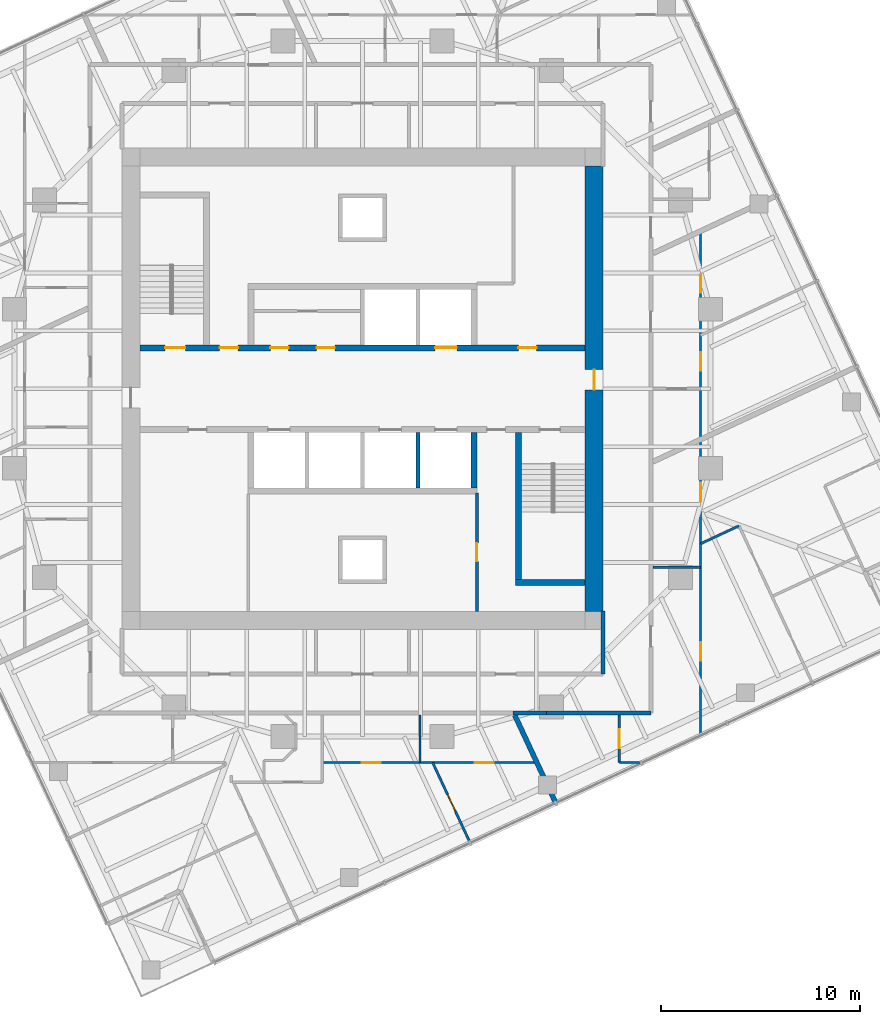
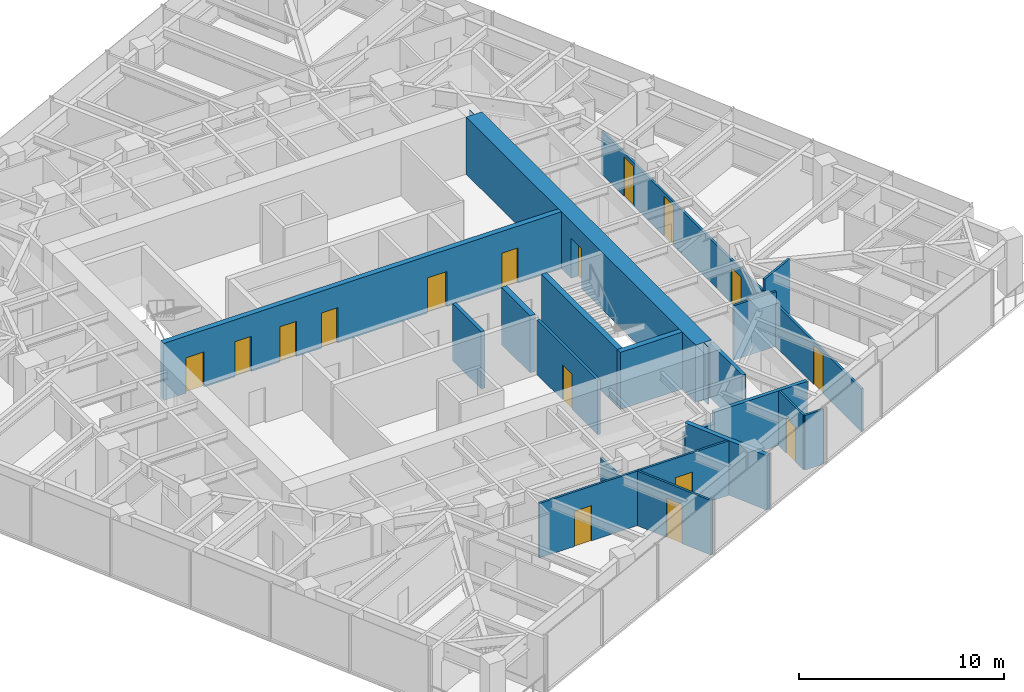
# One storey, part 9 of 13: 19 walls, 16 doors, 16 openings.
"""IFC4 building model written with IfcOpenShell, lengths in metres."""

from ifc_helpers import new_model, si_unit, direction, frame, frame_2d, origin, place, context, subcontext, project, spatial, polyline, rectangle, outline, extrude, material, layer, layer_set, type_object, element, fill, save


model = new_model("IFC4")

# Units and contexts
model_context = context("Model", 3, precision=1e-05, world=origin(), true_north=direction((0.0, 1.0)))
body_context = subcontext(model_context, "Body", "Model", "MODEL_VIEW")
ifc_project = project(units=[si_unit("LENGTHUNIT", "METRE"), si_unit("AREAUNIT", "SQUARE_METRE"), si_unit("VOLUMEUNIT", "CUBIC_METRE"), si_unit("PLANEANGLEUNIT", "RADIAN"), si_unit("MASSUNIT", "GRAM", prefix="KILO")], contexts=[model_context])

# Site, building, storey
site_placement = place(None, origin())
site = spatial("IfcSite", under=ifc_project, at=site_placement, CompositionType="ELEMENT")
building_placement = place(site_placement, origin())
building = spatial("IfcBuilding", under=site, at=building_placement, Name="Torsade Residences", CompositionType="ELEMENT")
storey_placement = place(building_placement, frame((0.0, 0.0, 176.0)))
storey = spatial("IfcBuildingStorey", under=building, at=storey_placement, Name="L48", CompositionType="ELEMENT", Elevation=176.0)

# Wall, openings, doors
ifc_material_1 = material(Name="Concrete 80 MPa", Category="concrete")
ifc_layer_1 = layer(ifc_material_1, 0.300048828125)
ifc_layer_set_1 = layer_set([ifc_layer_1], Name="Concrete 80 MPa")
wall_type_1 = type_object("IfcWallType", Name="CORE INTERNAL WALL 300", PredefinedType="SHEAR", material=ifc_layer_set_1)
wall_1_placement = place(storey_placement, frame((28.800048828125, 32.050048828125, 0.0), z_axis=(0.0, 0.0, 1.0), x_axis=(1.0, 0.0, 0.0)))
wall_1 = element("IfcWall", 1, at=wall_1_placement, inside=storey, type_object=wall_type_1, Name="Core wall LN L48", PredefinedType="SHEAR", context=body_context, shape_type="SweptSolid", body=[
    extrude(rectangle(XDim=22.39990234375, YDim=0.300048828125, at=frame_2d((11.199951171875, 0.0))), origin(), (0.0, 0.0, 1.0), 3.39990234375),
])
opening_1_placement = place(wall_1_placement, frame((19.0400390625, 0.0, 0.0)))
opening_1 = element("IfcOpeningElement", 2, at=opening_1_placement, cuts=wall_1, Name="Opening D06", PredefinedType="OPENING", context=body_context, shape_type="SweptSolid", body=[
    extrude(rectangle(XDim=0.919921875, YDim=2.10009765625, at=frame_2d((0.4599609375, 1.050048828125))), frame((0.0, 0.159912109375, 0.0), z_axis=(0.0, -1.0, 0.0), x_axis=(1.0, 0.0, 0.0)), (0.0, 0.0, 1.0), 0.320068359375),
])
opening_2_placement = place(wall_1_placement, frame((1.264892578125, 0.0, 0.0)))
opening_2 = element("IfcOpeningElement", 3, at=opening_2_placement, cuts=wall_1, Name="Opening D03", PredefinedType="OPENING", context=body_context, shape_type="SweptSolid", body=[
    extrude(rectangle(XDim=1.02001953125, YDim=2.10009765625, at=frame_2d((0.510009765625, 1.050048828125))), frame((0.0, 0.159912109375, 0.0), z_axis=(0.0, -1.0, 0.0), x_axis=(1.0, 0.0, 0.0)), (0.0, 0.0, 1.0), 0.320068359375),
])
opening_3_placement = place(wall_1_placement, frame((4.014892578125, 0.0, 0.0)))
opening_3 = element("IfcOpeningElement", 4, at=opening_3_placement, cuts=wall_1, Name="Opening D06", PredefinedType="OPENING", context=body_context, shape_type="SweptSolid", body=[
    extrude(rectangle(XDim=0.919921875, YDim=2.10009765625, at=frame_2d((0.4599609375, 1.050048828125))), frame((0.0, 0.159912109375, 0.0), z_axis=(0.0, -1.0, 0.0), x_axis=(1.0, 0.0, 0.0)), (0.0, 0.0, 1.0), 0.320068359375),
])
opening_4_placement = place(wall_1_placement, frame((6.56494140625, 0.0, 0.0)))
opening_4 = element("IfcOpeningElement", 5, at=opening_4_placement, cuts=wall_1, Name="Opening D06", PredefinedType="OPENING", context=body_context, shape_type="SweptSolid", body=[
    extrude(rectangle(XDim=0.919921875, YDim=2.10009765625, at=frame_2d((0.4599609375, 1.050048828125))), frame((0.0, 0.159912109375, 0.0), z_axis=(0.0, -1.0, 0.0), x_axis=(1.0, 0.0, 0.0)), (0.0, 0.0, 1.0), 0.320068359375),
])
opening_5_placement = place(wall_1_placement, frame((8.889892578125, 0.0, 0.0)))
opening_5 = element("IfcOpeningElement", 6, at=opening_5_placement, cuts=wall_1, Name="Opening D06", PredefinedType="OPENING", context=body_context, shape_type="SweptSolid", body=[
    extrude(rectangle(XDim=0.919921875, YDim=2.10009765625, at=frame_2d((0.4599609375, 1.050048828125))), frame((0.0, 0.159912109375, 0.0), z_axis=(0.0, -1.0, 0.0), x_axis=(1.0, 0.0, 0.0)), (0.0, 0.0, 1.0), 0.320068359375),
])
opening_6_placement = place(wall_1_placement, frame((14.85009765625, 0.0, 0.0)))
opening_6 = element("IfcOpeningElement", 7, at=opening_6_placement, cuts=wall_1, Name="Opening LD", PredefinedType="OPENING", context=body_context, shape_type="SweptSolid", body=[
    extrude(rectangle(XDim=1.10009765625, YDim=2.10009765625, at=frame_2d((0.550048828125, 1.050048828125))), frame((0.0, 0.159912109375, 0.0), z_axis=(0.0, -1.0, 0.0), x_axis=(1.0, 0.0, 0.0)), (0.0, 0.0, 1.0), 0.320068359375),
])
ifc_material_2 = material(Name="Steel-framed fire door", Category="steel")
door_type_1 = type_object("IfcDoorType", Name="FIRE DOOR 1020", OperationType="NOTDEFINED", PredefinedType="DOOR", material=ifc_material_2)
door_1_placement = place(opening_2_placement, origin())
door_1 = element("IfcDoor", 8, at=door_1_placement, inside=storey, type_object=door_type_1, Name="Exit door to fire-isolated stair ST1 L48", OperationType="SINGLE_SWING_RIGHT", OverallHeight=2.10009765625, OverallWidth=1.02001953125, PredefinedType="DOOR", context=body_context, shape_type="SweptSolid", body=[
    extrude(rectangle(XDim=1.02001953125, YDim=2.10009765625, at=frame_2d((0.510009765625, 1.050048828125))), frame((0.0, 0.02490234375, 0.0), z_axis=(0.0, -1.0, 0.0), x_axis=(1.0, 0.0, 0.0)), (0.0, 0.0, 1.0), 0.050048828125),
])
fill(opening_2, door_1)
ifc_material_3 = material(Name="Steel-framed fire door", Category="steel")
door_type_2 = type_object("IfcDoorType", Name="FIRE DOOR 920", OperationType="NOTDEFINED", PredefinedType="DOOR", material=ifc_material_3)
door_2_placement = place(opening_1_placement, origin())
door_2 = element("IfcDoor", 9, at=door_2_placement, inside=storey, type_object=door_type_2, Name="Door Lift lobby to Refuse room", OperationType="SINGLE_SWING_LEFT", OverallHeight=2.10009765625, OverallWidth=0.919921875, PredefinedType="DOOR", context=body_context, shape_type="SweptSolid", body=[
    extrude(rectangle(XDim=0.919921875, YDim=2.10009765625, at=frame_2d((0.4599609375, 1.050048828125))), frame((0.0, 0.02490234375, 0.0), z_axis=(0.0, -1.0, 0.0), x_axis=(1.0, 0.0, 0.0)), (0.0, 0.0, 1.0), 0.050048828125),
])
fill(opening_1, door_2)
door_3_placement = place(opening_3_placement, origin())
door_3 = element("IfcDoor", 10, at=door_3_placement, inside=storey, type_object=door_type_2, Name="Door Lift lobby to Electrical riser room", OperationType="SINGLE_SWING_LEFT", OverallHeight=2.10009765625, OverallWidth=0.919921875, PredefinedType="DOOR", context=body_context, shape_type="SweptSolid", body=[
    extrude(rectangle(XDim=0.919921875, YDim=2.10009765625, at=frame_2d((0.4599609375, 1.050048828125))), frame((0.0, 0.02490234375, 0.0), z_axis=(0.0, -1.0, 0.0), x_axis=(1.0, 0.0, 0.0)), (0.0, 0.0, 1.0), 0.050048828125),
])
fill(opening_3, door_3)
door_4_placement = place(opening_4_placement, origin())
door_4 = element("IfcDoor", 11, at=door_4_placement, inside=storey, type_object=door_type_2, Name="Door Lift lobby to IT equipment room L48A", OperationType="SINGLE_SWING_LEFT", OverallHeight=2.10009765625, OverallWidth=0.919921875, PredefinedType="DOOR", context=body_context, shape_type="SweptSolid", body=[
    extrude(rectangle(XDim=0.919921875, YDim=2.10009765625, at=frame_2d((0.4599609375, 1.050048828125))), frame((0.0, 0.02490234375, 0.0), z_axis=(0.0, -1.0, 0.0), x_axis=(1.0, 0.0, 0.0)), (0.0, 0.0, 1.0), 0.050048828125),
])
fill(opening_4, door_4)
door_5_placement = place(opening_5_placement, origin())
door_5 = element("IfcDoor", 12, at=door_5_placement, inside=storey, type_object=door_type_2, Name="Door Lift lobby to IT equipment room L48A", OperationType="SINGLE_SWING_LEFT", OverallHeight=2.10009765625, OverallWidth=0.919921875, PredefinedType="DOOR", context=body_context, shape_type="SweptSolid", body=[
    extrude(rectangle(XDim=0.919921875, YDim=2.10009765625, at=frame_2d((0.4599609375, 1.050048828125))), frame((0.0, 0.02490234375, 0.0), z_axis=(0.0, -1.0, 0.0), x_axis=(1.0, 0.0, 0.0)), (0.0, 0.0, 1.0), 0.050048828125),
])
fill(opening_5, door_5)
ifc_material_4 = material(Name="Stainless steel lift landing door", Category="steel")
door_type_3 = type_object("IfcDoorType", Name="LIFT LANDING DOOR 1100", OperationType="SLIDING_TO_LEFT", PredefinedType="DOOR", material=ifc_material_4)
door_6_placement = place(opening_6_placement, origin())
door_6 = element("IfcDoor", 13, at=door_6_placement, inside=storey, type_object=door_type_3, Name="Lift FL1 landing door L48", OperationType="SLIDING_TO_LEFT", OverallHeight=2.10009765625, OverallWidth=1.10009765625, PredefinedType="DOOR", context=body_context, shape_type="SweptSolid", body=[
    extrude(rectangle(XDim=1.10009765625, YDim=2.10009765625, at=frame_2d((0.550048828125, 1.050048828125))), frame((0.0, 0.02490234375, 0.0), z_axis=(0.0, -1.0, 0.0), x_axis=(1.0, 0.0, 0.0)), (0.0, 0.0, 1.0), 0.050048828125),
])
fill(opening_6, door_6)

# Walls
wall_2_placement = place(storey_placement, frame((45.60009765625, 27.800048828125, 0.0), z_axis=(0.0, 0.0, 1.0), x_axis=(0.0, -1.0, 0.0)))
element("IfcWall", 14, at=wall_2_placement, inside=storey, type_object=wall_type_1, Name="Core wall DS0 L48", PredefinedType="SHEAR", context=body_context, shape_type="SweptSolid", body=[
    extrude(rectangle(XDim=2.800048828125, YDim=0.300048828125, at=frame_2d((1.39990234375, 0.0))), origin(), (0.0, 0.0, 1.0), 3.39990234375),
])
wall_3_placement = place(storey_placement, frame((47.85009765625, 27.800048828125, 0.0), z_axis=(0.0, 0.0, 1.0), x_axis=(0.0, -1.0, 0.0)))
element("IfcWall", 15, at=wall_3_placement, inside=storey, type_object=wall_type_1, Name="Core wall ST2W L48", PredefinedType="SHEAR", context=body_context, shape_type="SweptSolid", body=[
    extrude(rectangle(XDim=7.699951171875, YDim=0.300048828125, at=frame_2d((3.85009765625, 0.0))), origin(), (0.0, 0.0, 1.0), 3.39990234375),
])
wall_4_placement = place(storey_placement, frame((51.199951171875, 20.25, 0.0), z_axis=(0.0, 0.0, 1.0), x_axis=(-1.0, 0.0, 0.0)))
element("IfcWall", 16, at=wall_4_placement, inside=storey, type_object=wall_type_1, Name="Core wall ST2S L48", PredefinedType="SHEAR", context=body_context, shape_type="SweptSolid", body=[
    extrude(rectangle(XDim=3.5, YDim=0.300048828125, at=frame_2d((1.75, 0.0))), origin(), (0.0, 0.0, 1.0), 3.39990234375),
])

# Wall, opening, door
ifc_material_5 = material(Name="Concrete 80 MPa", Category="concrete")
ifc_layer_2 = layer(ifc_material_5, 0.89990234375)
ifc_layer_set_2 = layer_set([ifc_layer_2], Name="Concrete 80 MPa")
wall_type_2 = type_object("IfcWallType", Name="CORE WALL 900", PredefinedType="SHEAR", material=ifc_layer_set_2)
wall_5_placement = place(storey_placement, frame((51.64990234375, 18.800048828125, 0.0), z_axis=(0.0, 0.0, 1.0), x_axis=(0.0, 1.0, 0.0)))
wall_5 = element("IfcWall", 17, at=wall_5_placement, inside=storey, type_object=wall_type_2, Name="Core wall E L48", PredefinedType="SHEAR", context=body_context, shape_type="SweptSolid", body=[
    extrude(outline(polyline([(0.0, -0.449951171875), (22.39990234375, -0.449951171875), (22.39990234375, -0.02490234375), (22.849853515625, -0.02490234375), (22.849853515625, 0.02490234375), (22.39990234375, 0.02490234375), (22.39990234375, 0.449951171875), (0.0, 0.449951171875), (0.0, 0.02490234375), (-0.449951171875, 0.02490234375), (-0.449951171875, -0.02490234375), (0.0, -0.02490234375), (0.0, -0.449951171875)])), origin(), (0.0, 0.0, 1.0), 3.39990234375),
])
opening_7_placement = place(wall_5_placement, frame((11.139892578125, 0.0, 0.0)))
opening_7 = element("IfcOpeningElement", 18, at=opening_7_placement, cuts=wall_5, Name="Opening D04", PredefinedType="OPENING", context=body_context, shape_type="SweptSolid", body=[
    extrude(rectangle(XDim=1.02001953125, YDim=2.39990234375, at=frame_2d((0.510009765625, 1.199951171875))), frame((0.0, 0.4599609375, 0.0), z_axis=(0.0, -1.0, 0.0), x_axis=(1.0, 0.0, 0.0)), (0.0, 0.0, 1.0), 0.919921875),
])
ifc_material_6 = material(Name="Steel-framed fire door", Category="steel")
door_type_4 = type_object("IfcDoorType", Name="LOBBY SMOKE DOOR 1020x2400", OperationType="NOTDEFINED", PredefinedType="DOOR", material=ifc_material_6)
door_7_placement = place(opening_7_placement, origin())
door_7 = element("IfcDoor", 19, at=door_7_placement, inside=storey, type_object=door_type_4, Name="Lift lobby door E L48", OperationType="SINGLE_SWING_LEFT", OverallHeight=2.39990234375, OverallWidth=1.02001953125, PredefinedType="DOOR", context=body_context, shape_type="SweptSolid", body=[
    extrude(rectangle(XDim=1.02001953125, YDim=2.39990234375, at=frame_2d((0.510009765625, 1.199951171875))), frame((0.0, 0.02490234375, 0.0), z_axis=(0.0, -1.0, 0.0), x_axis=(1.0, 0.0, 0.0)), (0.0, 0.0, 1.0), 0.050048828125),
])
fill(opening_7, door_7)

# Walls
ifc_material_7 = material(Name="Plasterboard on steel stud", Category="steel")
ifc_layer_3 = layer(ifc_material_7, 0.199951171875)
ifc_layer_set_3 = layer_set([ifc_layer_3], Name="Plasterboard on steel stud")
wall_type_3 = type_object("IfcWallType", Name="CORRIDOR WALL 200", PredefinedType="PARTITIONING", material=ifc_layer_set_3)
wall_6_placement = place(storey_placement, frame((47.558349609375, 13.699951171875, 0.0), z_axis=(0.0, 0.0, 1.0), x_axis=(1.0, 0.0, 0.0)))
element("IfcWall", 20, at=wall_6_placement, inside=storey, type_object=wall_type_3, Name="Corridor wall L48", PredefinedType="PARTITIONING", context=body_context, shape_type="SweptSolid", body=[
    extrude(rectangle(XDim=1.683349609375, YDim=0.199951171875, at=frame_2d((0.841796875, 0.0))), origin(), (0.0, 0.0, 1.0), 2.550048828125),
])
wall_7_placement = place(storey_placement, frame((49.24169921875, 13.699951171875, 0.0), z_axis=(0.0, 0.0, 1.0), x_axis=(1.0, 0.0, 0.0)))
element("IfcWall", 21, at=wall_7_placement, inside=storey, type_object=wall_type_3, Name="Corridor wall L48", PredefinedType="PARTITIONING", context=body_context, shape_type="SweptSolid", body=[
    extrude(rectangle(XDim=5.25830078125, YDim=0.199951171875, at=frame_2d((2.629150390625, 0.0))), origin(), (0.0, 0.0, 1.0), 3.25),
])
wall_8_placement = place(storey_placement, frame((52.10009765625, 15.64990234375, 0.0), z_axis=(0.0, 0.0, 1.0), x_axis=(0.0, 1.0, 0.0)))
element("IfcWall", 22, at=wall_8_placement, inside=storey, type_object=wall_type_3, Name="Corridor wall L48", PredefinedType="PARTITIONING", context=body_context, shape_type="SweptSolid", body=[
    extrude(rectangle(XDim=3.170166015625, YDim=0.199951171875, at=frame_2d((1.5849609375, 0.0))), origin(), (0.0, 0.0, 1.0), 3.25),
])
ifc_material_8 = material(Name="Reinforced blockwork", Category="masonry")
ifc_layer_4 = layer(ifc_material_8, 0.199951171875)
ifc_layer_set_4 = layer_set([ifc_layer_4], Name="Reinforced blockwork")
wall_type_4 = type_object("IfcWallType", Name="LIFT SHAFT DIVIDING WALL 200", PredefinedType="SOLIDWALL", material=ifc_layer_set_4)
wall_9_placement = place(storey_placement, frame((42.800048828125, 27.800048828125, 0.0), z_axis=(0.0, 0.0, 1.0), x_axis=(0.0, -1.0, 0.0)))
element("IfcWall", 23, at=wall_9_placement, inside=storey, type_object=wall_type_4, Name="Core wall DS1 L48", PredefinedType="SOLIDWALL", context=body_context, shape_type="SweptSolid", body=[
    extrude(rectangle(XDim=2.800048828125, YDim=0.199951171875, at=frame_2d((1.39990234375, 0.0))), origin(), (0.0, 0.0, 1.0), 3.39990234375),
])
ifc_material_9 = material(Name="Plasterboard on steel stud", Category="steel")
ifc_layer_5 = layer(ifc_material_9, 0.1201171875)
ifc_layer_set_5 = layer_set([ifc_layer_5], Name="Plasterboard on steel stud")
wall_type_5 = type_object("IfcWallType", Name="PARTITION 120", PredefinedType="PARTITIONING", material=ifc_layer_set_5)
wall_10_placement = place(storey_placement, frame((42.8916015625, 13.60009765625, 0.0), z_axis=(0.0, 0.0, 1.0), x_axis=(0.0, -1.0, 0.0)))
element("IfcWall", 24, at=wall_10_placement, inside=storey, type_object=wall_type_5, Name="Partition L48", PredefinedType="PARTITIONING", context=body_context, shape_type="SweptSolid", body=[
    extrude(rectangle(XDim=2.400146484375, YDim=0.1201171875, at=frame_2d((1.2001953125, 0.0))), origin(), (0.0, 0.0, 1.0), 2.7958984375),
])

# Wall, openings, doors
wall_11_placement = place(storey_placement, frame((48.7666015625, 11.199951171875, 0.0), z_axis=(0.0, 0.0, 1.0), x_axis=(-1.0, 0.0, 0.0)))
wall_11 = element("IfcWall", 25, at=wall_11_placement, inside=storey, type_object=wall_type_5, Name="Partition L48", PredefinedType="PARTITIONING", context=body_context, shape_type="SweptSolid", body=[
    extrude(rectangle(XDim=10.792724609375, YDim=0.1201171875, at=frame_2d((5.396484375, 0.0))), origin(), (0.0, 0.0, 1.0), 3.25),
])
opening_8_placement = place(wall_11_placement, frame((7.853759765625, 0.0, 0.0)))
opening_8 = element("IfcOpeningElement", 26, at=opening_8_placement, cuts=wall_11, Name="Opening D05", PredefinedType="OPENING", context=body_context, shape_type="SweptSolid", body=[
    extrude(rectangle(XDim=0.9599609375, YDim=2.10009765625, at=frame_2d((0.47998046875, 1.050048828125))), frame((0.0, 0.070068359375, 0.0), z_axis=(0.0, -1.0, 0.0), x_axis=(1.0, 0.0, 0.0)), (0.0, 0.0, 1.0), 0.14013671875),
])
opening_9_placement = place(wall_11_placement, frame((2.16796875, 0.0, 0.0)))
opening_9 = element("IfcOpeningElement", 27, at=opening_9_placement, cuts=wall_11, Name="Opening D05", PredefinedType="OPENING", context=body_context, shape_type="SweptSolid", body=[
    extrude(rectangle(XDim=0.9599609375, YDim=2.10009765625, at=frame_2d((0.47998046875, 1.050048828125))), frame((0.0, 0.070068359375, 0.0), z_axis=(0.0, -1.0, 0.0), x_axis=(1.0, 0.0, 0.0)), (0.0, 0.0, 1.0), 0.14013671875),
])
ifc_material_10 = material(Name="Hollow-core timber door in a steel cavity frame", Category="steel")
door_type_5 = type_object("IfcDoorType", Name="BATHROOM CAVITY SLIDING DOOR 960", OperationType="SLIDING_TO_LEFT", PredefinedType="DOOR", material=ifc_material_10)
door_8_placement = place(opening_8_placement, origin())
door_8 = element("IfcDoor", 28, at=door_8_placement, inside=storey, type_object=door_type_5, Name="Door Living room to Ensuite 2", OperationType="SLIDING_TO_LEFT", OverallHeight=2.10009765625, OverallWidth=0.9599609375, PredefinedType="DOOR", context=body_context, shape_type="SweptSolid", body=[
    extrude(rectangle(XDim=0.9599609375, YDim=2.10009765625, at=frame_2d((0.47998046875, 1.050048828125))), frame((0.0, 0.02490234375, 0.0), z_axis=(0.0, -1.0, 0.0), x_axis=(1.0, 0.0, 0.0)), (0.0, 0.0, 1.0), 0.050048828125),
])
fill(opening_8, door_8)
door_9_placement = place(opening_9_placement, origin())
door_9 = element("IfcDoor", 29, at=door_9_placement, inside=storey, type_object=door_type_5, Name="Door Study 2 to Ensuite", OperationType="SLIDING_TO_LEFT", OverallHeight=2.10009765625, OverallWidth=0.9599609375, PredefinedType="DOOR", context=body_context, shape_type="SweptSolid", body=[
    extrude(rectangle(XDim=0.9599609375, YDim=2.10009765625, at=frame_2d((0.47998046875, 1.050048828125))), frame((0.0, 0.02490234375, 0.0), z_axis=(0.0, -1.0, 0.0), x_axis=(1.0, 0.0, 0.0)), (0.0, 0.0, 1.0), 0.050048828125),
])
fill(opening_9, door_9)

# Wall, opening, door
wall_12_placement = place(storey_placement, frame((43.525634765625, 11.199951171875, 0.0), z_axis=(0.0, 0.0, 1.0), x_axis=(0.422629078519, -0.906302743011, 0.0)))
wall_12 = element("IfcWall", 30, at=wall_12_placement, inside=storey, type_object=wall_type_5, Name="Partition L48", PredefinedType="PARTITIONING", context=body_context, shape_type="SweptSolid", body=[
    extrude(rectangle(XDim=4.431396484375, YDim=0.1201171875, at=frame_2d((2.2158203125, 0.0))), origin(), (0.0, 0.0, 1.0), 3.25),
])
opening_10_placement = place(wall_12_placement, frame((1.775634765625, 0.0, 0.0)))
opening_10 = element("IfcOpeningElement", 31, at=opening_10_placement, cuts=wall_12, Name="Opening D02", PredefinedType="OPENING", context=body_context, shape_type="SweptSolid", body=[
    extrude(rectangle(XDim=0.919921875, YDim=2.340087890625, at=frame_2d((0.4599609375, 1.169921875))), frame((0.0, 0.070068359375, 0.0), z_axis=(0.0, -1.0, 0.0), x_axis=(1.0, 0.0, 0.0)), (0.0, 0.0, 1.0), 0.14013671875),
])
ifc_material_11 = material(Name="Hollow-core timber door", Category="wood")
door_type_6 = type_object("IfcDoorType", Name="INTERNAL DOOR 920x2340", OperationType="NOTDEFINED", PredefinedType="DOOR", material=ifc_material_11)
door_10_placement = place(opening_10_placement, origin())
door_10 = element("IfcDoor", 32, at=door_10_placement, inside=storey, type_object=door_type_6, Name="Door Living room to Study 2", OperationType="SINGLE_SWING_LEFT", OverallHeight=2.340087890625, OverallWidth=0.919921875, PredefinedType="DOOR", context=body_context, shape_type="SweptSolid", body=[
    extrude(rectangle(XDim=0.919921875, YDim=2.340087890625, at=frame_2d((0.4599609375, 1.169921875))), frame((0.0, 0.02490234375, 0.0), z_axis=(0.0, -1.0, 0.0), x_axis=(1.0, 0.0, 0.0)), (0.0, 0.0, 1.0), 0.050048828125),
])
fill(opening_10, door_10)

# Walls
wall_13_placement = place(storey_placement, frame((54.60009765625, 21.022705078125, 0.0), z_axis=(0.0, 0.0, 1.0), x_axis=(1.0, 0.0, 0.0)))
element("IfcWall", 33, at=wall_13_placement, inside=storey, type_object=wall_type_5, Name="Partition L48", PredefinedType="PARTITIONING", context=body_context, shape_type="SweptSolid", body=[
    extrude(rectangle(XDim=2.39990234375, YDim=0.1201171875, at=frame_2d((1.199951171875, 0.0))), origin(), (0.0, 0.0, 1.0), 3.25),
])
wall_14_placement = place(storey_placement, frame((54.01123046875, 11.199951171875, 0.0), z_axis=(0.0, 0.0, 1.0), x_axis=(-1.0, 0.0, 0.0)))
element("IfcWall", 34, at=wall_14_placement, inside=storey, type_object=wall_type_5, Name="Partition L48", PredefinedType="PARTITIONING", context=body_context, shape_type="SweptSolid", body=[
    extrude(rectangle(XDim=1.093994140625, YDim=0.1201171875, at=frame_2d((0.546875, 0.0))), origin(), (0.0, 0.0, 1.0), 3.25),
])

# Wall, opening, door
wall_15_placement = place(storey_placement, frame((52.917236328125, 11.199951171875, 0.0), z_axis=(0.0, 0.0, 1.0), x_axis=(0.0, 1.0, 0.0)))
wall_15 = element("IfcWall", 35, at=wall_15_placement, inside=storey, type_object=wall_type_5, Name="Partition L48", PredefinedType="PARTITIONING", context=body_context, shape_type="SweptSolid", body=[
    extrude(rectangle(XDim=2.400146484375, YDim=0.1201171875, at=frame_2d((1.2001953125, 0.0))), origin(), (0.0, 0.0, 1.0), 3.25),
])
opening_11_placement = place(wall_15_placement, frame((0.719970703125, 0.0, 0.0)))
opening_11 = element("IfcOpeningElement", 36, at=opening_11_placement, cuts=wall_15, Name="Opening D05", PredefinedType="OPENING", context=body_context, shape_type="SweptSolid", body=[
    extrude(rectangle(XDim=0.9599609375, YDim=2.10009765625, at=frame_2d((0.47998046875, 1.050048828125))), frame((0.0, 0.070068359375, 0.0), z_axis=(0.0, -1.0, 0.0), x_axis=(1.0, 0.0, 0.0)), (0.0, 0.0, 1.0), 0.14013671875),
])
door_11_placement = place(opening_11_placement, origin())
door_11 = element("IfcDoor", 37, at=door_11_placement, inside=storey, type_object=door_type_5, Name="Door Kitchen and dining to Ensuite", OperationType="SLIDING_TO_LEFT", OverallHeight=2.10009765625, OverallWidth=0.9599609375, PredefinedType="DOOR", context=body_context, shape_type="SweptSolid", body=[
    extrude(rectangle(XDim=0.9599609375, YDim=2.10009765625, at=frame_2d((0.47998046875, 1.050048828125))), frame((0.0, 0.02490234375, 0.0), z_axis=(0.0, -1.0, 0.0), x_axis=(1.0, 0.0, 0.0)), (0.0, 0.0, 1.0), 0.050048828125),
])
fill(opening_11, door_11)

# Wall, openings, doors
wall_16_placement = place(storey_placement, frame((57.0, 37.92724609375, 0.0), z_axis=(0.0, 0.0, 1.0), x_axis=(0.0, -1.0, 0.0)))
wall_16 = element("IfcWall", 38, at=wall_16_placement, inside=storey, type_object=wall_type_5, Name="Partition L48", PredefinedType="PARTITIONING", context=body_context, shape_type="SweptSolid", body=[
    extrude(rectangle(XDim=25.33349609375, YDim=0.1201171875, at=frame_2d((12.666748046875, 0.0))), origin(), (0.0, 0.0, 1.0), 2.550048828125),
])
opening_12_placement = place(wall_16_placement, frame((20.68115234375, 0.0, 0.0)))
opening_12 = element("IfcOpeningElement", 39, at=opening_12_placement, cuts=wall_16, Name="Opening D02", PredefinedType="OPENING", context=body_context, shape_type="SweptSolid", body=[
    extrude(rectangle(XDim=0.919921875, YDim=2.340087890625, at=frame_2d((0.4599609375, 1.169921875))), frame((0.0, 0.070068359375, 0.0), z_axis=(0.0, -1.0, 0.0), x_axis=(1.0, 0.0, 0.0)), (0.0, 0.0, 1.0), 0.14013671875),
])
opening_13_placement = place(wall_16_placement, frame((2.18798828125, 0.0, 0.0)))
opening_13 = element("IfcOpeningElement", 40, at=opening_13_placement, cuts=wall_16, Name="Opening D02", PredefinedType="OPENING", context=body_context, shape_type="SweptSolid", body=[
    extrude(rectangle(XDim=0.919921875, YDim=2.340087890625, at=frame_2d((0.4599609375, 1.169921875))), frame((0.0, 0.070068359375, 0.0), z_axis=(0.0, -1.0, 0.0), x_axis=(1.0, 0.0, 0.0)), (0.0, 0.0, 1.0), 0.14013671875),
])
opening_14_placement = place(wall_16_placement, frame((6.09619140625, 0.0, 0.0)))
opening_14 = element("IfcOpeningElement", 41, at=opening_14_placement, cuts=wall_16, Name="Opening D02", PredefinedType="OPENING", context=body_context, shape_type="SweptSolid", body=[
    extrude(rectangle(XDim=0.919921875, YDim=2.340087890625, at=frame_2d((0.4599609375, 1.169921875))), frame((0.0, 0.070068359375, 0.0), z_axis=(0.0, -1.0, 0.0), x_axis=(1.0, 0.0, 0.0)), (0.0, 0.0, 1.0), 0.14013671875),
])
opening_15_placement = place(wall_16_placement, frame((12.650146484375, 0.0, 0.0)))
opening_15 = element("IfcOpeningElement", 42, at=opening_15_placement, cuts=wall_16, Name="Opening D05", PredefinedType="OPENING", context=body_context, shape_type="SweptSolid", body=[
    extrude(rectangle(XDim=0.9599609375, YDim=2.10009765625, at=frame_2d((0.47998046875, 1.050048828125))), frame((0.0, 0.070068359375, 0.0), z_axis=(0.0, -1.0, 0.0), x_axis=(1.0, 0.0, 0.0)), (0.0, 0.0, 1.0), 0.14013671875),
])
door_12_placement = place(opening_15_placement, origin())
door_12 = element("IfcDoor", 43, at=door_12_placement, inside=storey, type_object=door_type_5, Name="Door Living room to Bathroom", OperationType="SLIDING_TO_LEFT", OverallHeight=2.10009765625, OverallWidth=0.9599609375, PredefinedType="DOOR", context=body_context, shape_type="SweptSolid", body=[
    extrude(rectangle(XDim=0.9599609375, YDim=2.10009765625, at=frame_2d((0.47998046875, 1.050048828125))), frame((0.0, 0.02490234375, 0.0), z_axis=(0.0, -1.0, 0.0), x_axis=(1.0, 0.0, 0.0)), (0.0, 0.0, 1.0), 0.050048828125),
])
fill(opening_15, door_12)
door_13_placement = place(opening_12_placement, origin())
door_13 = element("IfcDoor", 44, at=door_13_placement, inside=storey, type_object=door_type_6, Name="Door Kitchen and dining to Bedroom 1", OperationType="SINGLE_SWING_RIGHT", OverallHeight=2.340087890625, OverallWidth=0.919921875, PredefinedType="DOOR", context=body_context, shape_type="SweptSolid", body=[
    extrude(rectangle(XDim=0.919921875, YDim=2.340087890625, at=frame_2d((0.4599609375, 1.169921875))), frame((0.0, 0.02490234375, 0.0), z_axis=(0.0, -1.0, 0.0), x_axis=(1.0, 0.0, 0.0)), (0.0, 0.0, 1.0), 0.050048828125),
])
fill(opening_12, door_13)
door_14_placement = place(opening_13_placement, origin())
door_14 = element("IfcDoor", 45, at=door_14_placement, inside=storey, type_object=door_type_6, Name="Door Kitchen and dining to Bedroom 1", OperationType="SINGLE_SWING_RIGHT", OverallHeight=2.340087890625, OverallWidth=0.919921875, PredefinedType="DOOR", context=body_context, shape_type="SweptSolid", body=[
    extrude(rectangle(XDim=0.919921875, YDim=2.340087890625, at=frame_2d((0.4599609375, 1.169921875))), frame((0.0, 0.02490234375, 0.0), z_axis=(0.0, -1.0, 0.0), x_axis=(1.0, 0.0, 0.0)), (0.0, 0.0, 1.0), 0.050048828125),
])
fill(opening_13, door_14)
door_15_placement = place(opening_14_placement, origin())
door_15 = element("IfcDoor", 46, at=door_15_placement, inside=storey, type_object=door_type_6, Name="Door Kitchen and dining to Living room", OperationType="SINGLE_SWING_LEFT", OverallHeight=2.340087890625, OverallWidth=0.919921875, PredefinedType="DOOR", context=body_context, shape_type="SweptSolid", body=[
    extrude(rectangle(XDim=0.919921875, YDim=2.340087890625, at=frame_2d((0.4599609375, 1.169921875))), frame((0.0, 0.02490234375, 0.0), z_axis=(0.0, -1.0, 0.0), x_axis=(1.0, 0.0, 0.0)), (0.0, 0.0, 1.0), 0.050048828125),
])
fill(opening_14, door_15)

# Walls
wall_17_placement = place(storey_placement, frame((58.92822265625, 23.103271484375, 0.0), z_axis=(0.0, 0.0, 1.0), x_axis=(-0.90630329877, -0.422627886727, 0.0)))
element("IfcWall", 47, at=wall_17_placement, inside=storey, type_object=wall_type_5, Name="Partition L48", PredefinedType="PARTITIONING", context=body_context, shape_type="SweptSolid", body=[
    extrude(rectangle(XDim=2.127685546875, YDim=0.1201171875, at=frame_2d((1.06396484375, 0.0))), origin(), (0.0, 0.0, 1.0), 3.25),
])
ifc_material_12 = material(Name="Masonry-lined stud party wall", Category="masonry")
ifc_layer_6 = layer(ifc_material_12, 0.25)
ifc_layer_set_6 = layer_set([ifc_layer_6], Name="Masonry-lined stud party wall")
wall_type_6 = type_object("IfcWallType", Name="PARTY WALL 250", PredefinedType="PARTITIONING", material=ifc_layer_set_6)
wall_18_placement = place(storey_placement, frame((49.72021484375, 9.155029296875, 0.0), z_axis=(0.0, 0.0, 1.0), x_axis=(-0.422603708115, 0.906314573362, 0.0)))
element("IfcWall", 48, at=wall_18_placement, inside=storey, type_object=wall_type_6, Name="Party wall L48", PredefinedType="PARTITIONING", context=body_context, shape_type="SweptSolid", body=[
    extrude(rectangle(XDim=4.88623046875, YDim=0.25, at=frame_2d((2.443115234375, 0.0))), origin(), (0.0, 0.0, 1.0), 3.25),
])

# Wall, opening, door
ifc_material_13 = material(Name="Reinforced blockwork", Category="masonry")
ifc_layer_7 = layer(ifc_material_13, 0.14990234375)
ifc_layer_set_7 = layer_set([ifc_layer_7], Name="Reinforced blockwork")
wall_type_7 = type_object("IfcWallType", Name="SERVICE ROOM WALL 150", PredefinedType="SOLIDWALL", material=ifc_layer_set_7)
wall_19_placement = place(storey_placement, frame((45.75, 18.800048828125, 0.0), z_axis=(0.0, 0.0, 1.0), x_axis=(0.0, 1.0, 0.0)))
wall_19 = element("IfcWall", 49, at=wall_19_placement, inside=storey, type_object=wall_type_7, Name="Service room wall L48", PredefinedType="SOLIDWALL", context=body_context, shape_type="SweptSolid", body=[
    extrude(rectangle(XDim=5.949951171875, YDim=0.14990234375, at=frame_2d((2.97509765625, 0.0))), origin(), (0.0, 0.0, 1.0), 3.25),
])
opening_16_placement = place(wall_19_placement, frame((2.514892578125, 0.0, 0.0)))
opening_16 = element("IfcOpeningElement", 50, at=opening_16_placement, cuts=wall_19, Name="Opening D06", PredefinedType="OPENING", context=body_context, shape_type="SweptSolid", body=[
    extrude(rectangle(XDim=0.919921875, YDim=2.10009765625, at=frame_2d((0.4599609375, 1.050048828125))), frame((0.0, 0.0849609375, 0.0), z_axis=(0.0, -1.0, 0.0), x_axis=(1.0, 0.0, 0.0)), (0.0, 0.0, 1.0), 0.169921875),
])
door_16_placement = place(opening_16_placement, origin())
door_16 = element("IfcDoor", 51, at=door_16_placement, inside=storey, type_object=door_type_2, Name="Door Security and data store to Communications riser room", OperationType="SINGLE_SWING_LEFT", OverallHeight=2.10009765625, OverallWidth=0.919921875, PredefinedType="DOOR", context=body_context, shape_type="SweptSolid", body=[
    extrude(rectangle(XDim=0.919921875, YDim=2.10009765625, at=frame_2d((0.4599609375, 1.050048828125))), frame((0.0, 0.02490234375, 0.0), z_axis=(0.0, -1.0, 0.0), x_axis=(1.0, 0.0, 0.0)), (0.0, 0.0, 1.0), 0.050048828125),
])
fill(opening_16, door_16)

save(model, "model.ifc")
